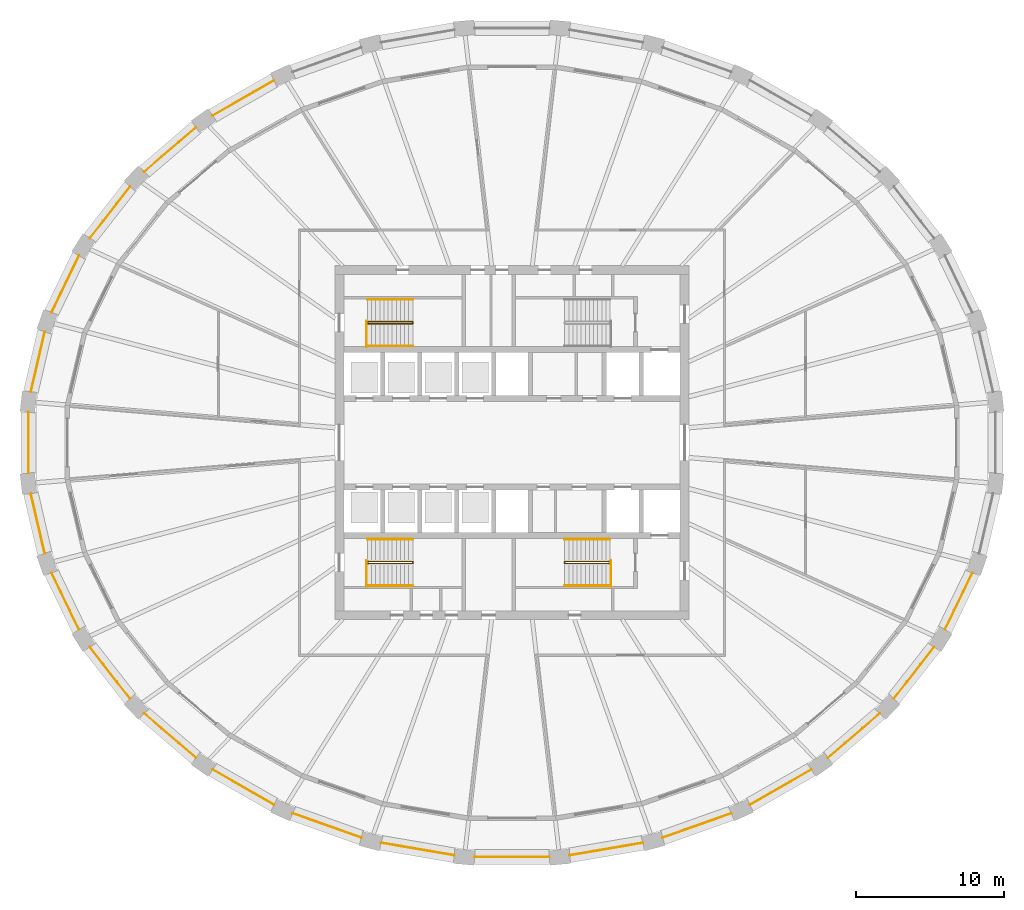
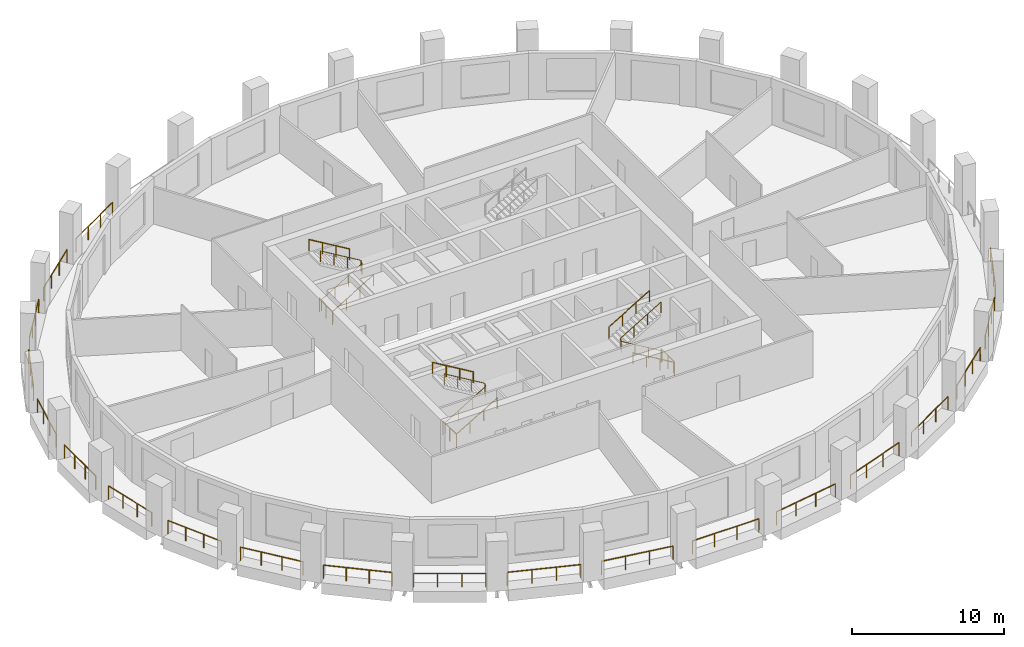
# One storey, part 8 of 10: 32 railings.
"""IFC4 building model written with IfcOpenShell, lengths in metres."""

from ifc_helpers import new_model, si_unit, direction, frame, origin, origin_2d, place, context, subcontext, project, spatial, circle, extrude, material, type_object, element, save


model = new_model("IFC4")

# Units and contexts
model_context = context("Model", 3, precision=1e-05, world=origin(), true_north=direction((0.0, 1.0)))
body_context = subcontext(model_context, "Body", "Model", "MODEL_VIEW")
ifc_project = project(units=[si_unit("LENGTHUNIT", "METRE"), si_unit("AREAUNIT", "SQUARE_METRE"), si_unit("VOLUMEUNIT", "CUBIC_METRE"), si_unit("PLANEANGLEUNIT", "RADIAN"), si_unit("MASSUNIT", "GRAM", prefix="KILO")], contexts=[model_context])

# Site, building, storey
site_placement = place(None, origin())
site = spatial("IfcSite", under=ifc_project, at=site_placement, CompositionType="ELEMENT")
building_placement = place(site_placement, origin())
building = spatial("IfcBuilding", under=site, at=building_placement, Name="Halqa Exchange Tower", CompositionType="ELEMENT")
storey_placement = place(building_placement, frame((0.0, 0.0, 178.89990234375)))
storey = spatial("IfcBuildingStorey", under=building, at=storey_placement, Name="L40", CompositionType="ELEMENT", Elevation=178.89990234375)

# Railings
ifc_material = material(Name="Stainless steel", Category="steel")
railing_type_1 = type_object("IfcRailingType", Name="Guard 1100 stainless steel", PredefinedType="GUARDRAIL", material=ifc_material)
railing_1_placement = place(storey_placement, frame((-16.126220703125, 24.5380859375, 0.0)))
element("IfcRailing", 1, at=railing_1_placement, inside=storey, type_object=railing_type_1, Name="Loggia guard 11", PredefinedType="GUARDRAIL", context=body_context, shape_type="SweptSolid", body=[
    extrude(circle(Radius=0.02392578125, at=origin_2d()), frame((0.0, 0.0, 1.076171875), z_axis=(-0.867793681236, -0.496924669148, 0.0), x_axis=(0.496924669148, -0.867793681236, 0.0)), (0.0, 0.0, 1.0), 4.783935546875),
    extrude(circle(Radius=0.02099609375, at=origin_2d()), origin(), (0.0, 0.0, 1.0), 1.052001953125),
    extrude(circle(Radius=0.02099609375, at=origin_2d()), frame((-1.3837890625, -0.79248046875, 0.0)), (0.0, 0.0, 1.0), 1.052001953125),
    extrude(circle(Radius=0.02099609375, at=origin_2d()), frame((-2.767578125, -1.584716796875, 0.0)), (0.0, 0.0, 1.0), 1.052001953125),
    extrude(circle(Radius=0.02099609375, at=origin_2d()), frame((-4.1513671875, -2.377197265625, 0.0)), (0.0, 0.0, 1.0), 1.052001953125),
])
railing_2_placement = place(storey_placement, frame((-21.41650390625, 21.357421875, 0.0)))
element("IfcRailing", 2, at=railing_2_placement, inside=storey, type_object=railing_type_1, Name="Loggia guard 12", PredefinedType="GUARDRAIL", context=body_context, shape_type="SweptSolid", body=[
    extrude(circle(Radius=0.02392578125, at=origin_2d()), frame((0.0, 0.0, 1.076171875), z_axis=(-0.759249126509, -0.650800095187, 0.0), x_axis=(0.650800095187, -0.759249126509, 0.0)), (0.0, 0.0, 1.0), 4.6103515625),
    extrude(circle(Radius=0.02099609375, at=origin_2d()), origin(), (0.0, 0.0, 1.0), 1.052001953125),
    extrude(circle(Radius=0.02099609375, at=origin_2d()), frame((-1.166748046875, -1.000244140625, 0.0)), (0.0, 0.0, 1.0), 1.052001953125),
    extrude(circle(Radius=0.02099609375, at=origin_2d()), frame((-2.333740234375, -2.000244140625, 0.0)), (0.0, 0.0, 1.0), 1.052001953125),
    extrude(circle(Radius=0.02099609375, at=origin_2d()), frame((-3.50048828125, -3.00048828125, 0.0)), (0.0, 0.0, 1.0), 1.052001953125),
])
railing_3_placement = place(storey_placement, frame((-25.87890625, 17.349365234375, 0.0)))
element("IfcRailing", 3, at=railing_3_placement, inside=storey, type_object=railing_type_1, Name="Loggia guard 13", PredefinedType="GUARDRAIL", context=body_context, shape_type="SweptSolid", body=[
    extrude(circle(Radius=0.02392578125, at=origin_2d()), frame((0.0, 0.0, 1.076171875), z_axis=(-0.614783111341, -0.788696219092, 0.0), x_axis=(0.788696219092, -0.614783111341, 0.0)), (0.0, 0.0, 1.0), 4.431884765625),
    extrude(circle(Radius=0.02099609375, at=origin_2d()), origin(), (0.0, 0.0, 1.0), 1.052001953125),
    extrude(circle(Radius=0.02099609375, at=origin_2d()), frame((-0.908203125, -1.1650390625, 0.0)), (0.0, 0.0, 1.0), 1.052001953125),
    extrude(circle(Radius=0.02099609375, at=origin_2d()), frame((-1.81640625, -2.330322265625, 0.0)), (0.0, 0.0, 1.0), 1.052001953125),
    extrude(circle(Radius=0.02099609375, at=origin_2d()), frame((-2.724609375, -3.495361328125, 0.0)), (0.0, 0.0, 1.0), 1.052001953125),
])
railing_4_placement = place(storey_placement, frame((-29.33837890625, 12.671630859375, 0.0)))
element("IfcRailing", 4, at=railing_4_placement, inside=storey, type_object=railing_type_1, Name="Loggia guard 14", PredefinedType="GUARDRAIL", context=body_context, shape_type="SweptSolid", body=[
    extrude(circle(Radius=0.02392578125, at=origin_2d()), frame((0.0, 0.0, 1.076171875), z_axis=(-0.435114663921, -0.900375049211, 0.0), x_axis=(0.900375049211, -0.435114663921, 0.0)), (0.0, 0.0, 1.0), 4.276123046875),
    extrude(circle(Radius=0.02099609375, at=origin_2d()), origin(), (0.0, 0.0, 1.0), 1.052001953125),
    extrude(circle(Radius=0.02099609375, at=origin_2d()), frame((-0.6201171875, -1.283447265625, 0.0)), (0.0, 0.0, 1.0), 1.052001953125),
    extrude(circle(Radius=0.02099609375, at=origin_2d()), frame((-1.240478515625, -2.566650390625, 0.0)), (0.0, 0.0, 1.0), 1.052001953125),
    extrude(circle(Radius=0.02099609375, at=origin_2d()), frame((-1.860595703125, -3.85009765625, 0.0)), (0.0, 0.0, 1.0), 1.052001953125),
])
railing_5_placement = place(storey_placement, frame((-31.66162109375, 7.509521484375, 0.0)))
element("IfcRailing", 5, at=railing_5_placement, inside=storey, type_object=railing_type_1, Name="Loggia guard 15", PredefinedType="GUARDRAIL", context=body_context, shape_type="SweptSolid", body=[
    extrude(circle(Radius=0.02392578125, at=origin_2d()), frame((0.0, 0.0, 1.076171875), z_axis=(-0.22612077851, -0.974099272932, 0.0), x_axis=(0.974099272932, -0.22612077851, 0.0)), (0.0, 0.0, 1.0), 4.169677734375),
    extrude(circle(Radius=0.02099609375, at=origin_2d()), origin(), (0.0, 0.0, 1.0), 1.052001953125),
    extrude(circle(Radius=0.02099609375, at=origin_2d()), frame((-0.314208984375, -1.35400390625, 0.0)), (0.0, 0.0, 1.0), 1.052001953125),
    extrude(circle(Radius=0.02099609375, at=origin_2d()), frame((-0.628662109375, -2.707763671875, 0.0)), (0.0, 0.0, 1.0), 1.052001953125),
    extrude(circle(Radius=0.02099609375, at=origin_2d()), frame((-0.94287109375, -4.061767578125, 0.0)), (0.0, 0.0, 1.0), 1.052001953125),
])
railing_6_placement = place(storey_placement, frame((-32.7626953125, 2.06591796875, 0.0)))
element("IfcRailing", 6, at=railing_6_placement, inside=storey, type_object=railing_type_1, Name="Loggia guard 16", PredefinedType="GUARDRAIL", context=body_context, shape_type="SweptSolid", body=[
    extrude(circle(Radius=0.02392578125, at=origin_2d()), frame((0.0, 0.0, 1.076171875), z_axis=(0.0, -1.0, 0.0), x_axis=(1.0, 0.0, 0.0)), (0.0, 0.0, 1.0), 4.1318359375),
    extrude(circle(Radius=0.02099609375, at=origin_2d()), origin(), (0.0, 0.0, 1.0), 1.052001953125),
    extrude(circle(Radius=0.02099609375, at=origin_2d()), frame((0.0, -1.377197265625, 0.0)), (0.0, 0.0, 1.0), 1.052001953125),
    extrude(circle(Radius=0.02099609375, at=origin_2d()), frame((0.0, -2.754638671875, 0.0)), (0.0, 0.0, 1.0), 1.052001953125),
    extrude(circle(Radius=0.02099609375, at=origin_2d()), frame((0.0, -4.1318359375, 0.0)), (0.0, 0.0, 1.0), 1.052001953125),
])
railing_7_placement = place(storey_placement, frame((-32.6044921875, -3.44775390625, 0.0)))
element("IfcRailing", 7, at=railing_7_placement, inside=storey, type_object=railing_type_1, Name="Loggia guard 17", PredefinedType="GUARDRAIL", context=body_context, shape_type="SweptSolid", body=[
    extrude(circle(Radius=0.02392578125, at=origin_2d()), frame((0.0, 0.0, 1.076171875), z_axis=(0.22612077851, -0.974099272932, 0.0), x_axis=(0.974099272932, 0.22612077851, 0.0)), (0.0, 0.0, 1.0), 4.169677734375),
    extrude(circle(Radius=0.02099609375, at=origin_2d()), origin(), (0.0, 0.0, 1.0), 1.052001953125),
    extrude(circle(Radius=0.02099609375, at=origin_2d()), frame((0.314208984375, -1.35400390625, 0.0)), (0.0, 0.0, 1.0), 1.052001953125),
    extrude(circle(Radius=0.02099609375, at=origin_2d()), frame((0.628662109375, -2.707763671875, 0.0)), (0.0, 0.0, 1.0), 1.052001953125),
    extrude(circle(Radius=0.02099609375, at=origin_2d()), frame((0.94287109375, -4.061767578125, 0.0)), (0.0, 0.0, 1.0), 1.052001953125),
])
railing_8_placement = place(storey_placement, frame((-31.198974609375, -8.821533203125, 0.0)))
element("IfcRailing", 8, at=railing_8_placement, inside=storey, type_object=railing_type_1, Name="Loggia guard 18", PredefinedType="GUARDRAIL", context=body_context, shape_type="SweptSolid", body=[
    extrude(circle(Radius=0.02392578125, at=origin_2d()), frame((0.0, 0.0, 1.076171875), z_axis=(0.435114663921, -0.900375049211, 0.0), x_axis=(0.900375049211, 0.435114663921, 0.0)), (0.0, 0.0, 1.0), 4.276123046875),
    extrude(circle(Radius=0.02099609375, at=origin_2d()), origin(), (0.0, 0.0, 1.0), 1.052001953125),
    extrude(circle(Radius=0.02099609375, at=origin_2d()), frame((0.6201171875, -1.283447265625, 0.0)), (0.0, 0.0, 1.0), 1.052001953125),
    extrude(circle(Radius=0.02099609375, at=origin_2d()), frame((1.240478515625, -2.566650390625, 0.0)), (0.0, 0.0, 1.0), 1.052001953125),
    extrude(circle(Radius=0.02099609375, at=origin_2d()), frame((1.860595703125, -3.85009765625, 0.0)), (0.0, 0.0, 1.0), 1.052001953125),
])
railing_9_placement = place(storey_placement, frame((-28.603515625, -13.85400390625, 0.0)))
element("IfcRailing", 9, at=railing_9_placement, inside=storey, type_object=railing_type_1, Name="Loggia guard 19", PredefinedType="GUARDRAIL", context=body_context, shape_type="SweptSolid", body=[
    extrude(circle(Radius=0.02392578125, at=origin_2d()), frame((0.0, 0.0, 1.076171875), z_axis=(0.614783111341, -0.788696219092, 0.0), x_axis=(0.788696219092, 0.614783111341, 0.0)), (0.0, 0.0, 1.0), 4.431884765625),
    extrude(circle(Radius=0.02099609375, at=origin_2d()), origin(), (0.0, 0.0, 1.0), 1.052001953125),
    extrude(circle(Radius=0.02099609375, at=origin_2d()), frame((0.908203125, -1.1650390625, 0.0)), (0.0, 0.0, 1.0), 1.052001953125),
    extrude(circle(Radius=0.02099609375, at=origin_2d()), frame((1.81640625, -2.330322265625, 0.0)), (0.0, 0.0, 1.0), 1.052001953125),
    extrude(circle(Radius=0.02099609375, at=origin_2d()), frame((2.724609375, -3.495361328125, 0.0)), (0.0, 0.0, 1.0), 1.052001953125),
])
railing_10_placement = place(storey_placement, frame((-24.9169921875, -18.35693359375, 0.0)))
element("IfcRailing", 10, at=railing_10_placement, inside=storey, type_object=railing_type_1, Name="Loggia guard 20", PredefinedType="GUARDRAIL", context=body_context, shape_type="SweptSolid", body=[
    extrude(circle(Radius=0.02392578125, at=origin_2d()), frame((0.0, 0.0, 1.076171875), z_axis=(0.759249126509, -0.650800095187, 0.0), x_axis=(0.650800095187, 0.759249126509, 0.0)), (0.0, 0.0, 1.0), 4.6103515625),
    extrude(circle(Radius=0.02099609375, at=origin_2d()), origin(), (0.0, 0.0, 1.0), 1.052001953125),
    extrude(circle(Radius=0.02099609375, at=origin_2d()), frame((1.166748046875, -1.000244140625, 0.0)), (0.0, 0.0, 1.0), 1.052001953125),
    extrude(circle(Radius=0.02099609375, at=origin_2d()), frame((2.333740234375, -2.000244140625, 0.0)), (0.0, 0.0, 1.0), 1.052001953125),
    extrude(circle(Radius=0.02099609375, at=origin_2d()), frame((3.50048828125, -3.00048828125, 0.0)), (0.0, 0.0, 1.0), 1.052001953125),
])
railing_11_placement = place(storey_placement, frame((-20.277587890625, -22.160888671875, 0.0)))
element("IfcRailing", 11, at=railing_11_placement, inside=storey, type_object=railing_type_1, Name="Loggia guard 21", PredefinedType="GUARDRAIL", context=body_context, shape_type="SweptSolid", body=[
    extrude(circle(Radius=0.02392578125, at=origin_2d()), frame((0.0, 0.0, 1.076171875), z_axis=(0.867793681236, -0.496924669148, 0.0), x_axis=(0.496924669148, 0.867793681236, 0.0)), (0.0, 0.0, 1.0), 4.783935546875),
    extrude(circle(Radius=0.02099609375, at=origin_2d()), origin(), (0.0, 0.0, 1.0), 1.052001953125),
    extrude(circle(Radius=0.02099609375, at=origin_2d()), frame((1.3837890625, -0.79248046875, 0.0)), (0.0, 0.0, 1.0), 1.052001953125),
    extrude(circle(Radius=0.02099609375, at=origin_2d()), frame((2.767578125, -1.584716796875, 0.0)), (0.0, 0.0, 1.0), 1.052001953125),
    extrude(circle(Radius=0.02099609375, at=origin_2d()), frame((4.1513671875, -2.377197265625, 0.0)), (0.0, 0.0, 1.0), 1.052001953125),
])
railing_12_placement = place(storey_placement, frame((-14.859130859375, -25.120361328125, 0.0)))
element("IfcRailing", 12, at=railing_12_placement, inside=storey, type_object=railing_type_1, Name="Loggia guard 22", PredefinedType="GUARDRAIL", context=body_context, shape_type="SweptSolid", body=[
    extrude(circle(Radius=0.02392578125, at=origin_2d()), frame((0.0, 0.0, 1.076171875), z_axis=(0.94236475605, -0.334587307822, 0.0), x_axis=(0.334587307822, 0.94236475605, 0.0)), (0.0, 0.0, 1.0), 4.9267578125),
    extrude(circle(Radius=0.02099609375, at=origin_2d()), origin(), (0.0, 0.0, 1.0), 1.052001953125),
    extrude(circle(Radius=0.02099609375, at=origin_2d()), frame((1.547607421875, -0.549560546875, 0.0)), (0.0, 0.0, 1.0), 1.052001953125),
    extrude(circle(Radius=0.02099609375, at=origin_2d()), frame((3.09521484375, -1.098876953125, 0.0)), (0.0, 0.0, 1.0), 1.052001953125),
    extrude(circle(Radius=0.02099609375, at=origin_2d()), frame((4.642822265625, -1.6484375, 0.0)), (0.0, 0.0, 1.0), 1.052001953125),
])
railing_13_placement = place(storey_placement, frame((-8.866455078125, -27.12060546875, 0.0)))
element("IfcRailing", 13, at=railing_13_placement, inside=storey, type_object=railing_type_1, Name="Loggia guard 23", PredefinedType="GUARDRAIL", context=body_context, shape_type="SweptSolid", body=[
    extrude(circle(Radius=0.02392578125, at=origin_2d()), frame((0.0, 0.0, 1.076171875), z_axis=(0.985772013082, -0.16808788839, 0.0), x_axis=(0.16808788839, 0.985772013082, 0.0)), (0.0, 0.0, 1.0), 5.021240234375),
    extrude(circle(Radius=0.02099609375, at=origin_2d()), origin(), (0.0, 0.0, 1.0), 1.052001953125),
    extrude(circle(Radius=0.02099609375, at=origin_2d()), frame((1.64990234375, -0.28125, 0.0)), (0.0, 0.0, 1.0), 1.052001953125),
    extrude(circle(Radius=0.02099609375, at=origin_2d()), frame((3.2998046875, -0.562744140625, 0.0)), (0.0, 0.0, 1.0), 1.052001953125),
    extrude(circle(Radius=0.02099609375, at=origin_2d()), frame((4.94970703125, -0.843994140625, 0.0)), (0.0, 0.0, 1.0), 1.052001953125),
])
railing_14_placement = place(storey_placement, frame((-2.52685546875, -28.082275390625, 0.0)))
element("IfcRailing", 14, at=railing_14_placement, inside=storey, type_object=railing_type_1, Name="Loggia guard 24", PredefinedType="GUARDRAIL", context=body_context, shape_type="SweptSolid", body=[
    extrude(circle(Radius=0.02392578125, at=origin_2d()), frame((0.0, 0.0, 1.076171875), z_axis=(1.0, 0.0, 0.0), x_axis=(0.0, 1.0, 0.0)), (0.0, 0.0, 1.0), 5.0537109375),
    extrude(circle(Radius=0.02099609375, at=origin_2d()), origin(), (0.0, 0.0, 1.0), 1.052001953125),
    extrude(circle(Radius=0.02099609375, at=origin_2d()), frame((1.6845703125, 0.0, 0.0)), (0.0, 0.0, 1.0), 1.052001953125),
    extrude(circle(Radius=0.02099609375, at=origin_2d()), frame((3.369140625, 0.0, 0.0)), (0.0, 0.0, 1.0), 1.052001953125),
    extrude(circle(Radius=0.02099609375, at=origin_2d()), frame((5.0537109375, 0.0, 0.0)), (0.0, 0.0, 1.0), 1.052001953125),
])
railing_15_placement = place(storey_placement, frame((3.916748046875, -27.964599609375, 0.0)))
element("IfcRailing", 15, at=railing_15_placement, inside=storey, type_object=railing_type_1, Name="Loggia guard 25", PredefinedType="GUARDRAIL", context=body_context, shape_type="SweptSolid", body=[
    extrude(circle(Radius=0.02392578125, at=origin_2d()), frame((0.0, 0.0, 1.076171875), z_axis=(0.985772013082, 0.16808788839, 0.0), x_axis=(-0.16808788839, 0.985772013082, 0.0)), (0.0, 0.0, 1.0), 5.021240234375),
    extrude(circle(Radius=0.02099609375, at=origin_2d()), origin(), (0.0, 0.0, 1.0), 1.052001953125),
    extrude(circle(Radius=0.02099609375, at=origin_2d()), frame((1.64990234375, 0.28125, 0.0)), (0.0, 0.0, 1.0), 1.052001953125),
    extrude(circle(Radius=0.02099609375, at=origin_2d()), frame((3.2998046875, 0.562744140625, 0.0)), (0.0, 0.0, 1.0), 1.052001953125),
    extrude(circle(Radius=0.02099609375, at=origin_2d()), frame((4.94970703125, 0.843994140625, 0.0)), (0.0, 0.0, 1.0), 1.052001953125),
])
railing_16_placement = place(storey_placement, frame((10.21630859375, -26.768798828125, 0.0)))
element("IfcRailing", 16, at=railing_16_placement, inside=storey, type_object=railing_type_1, Name="Loggia guard 26", PredefinedType="GUARDRAIL", context=body_context, shape_type="SweptSolid", body=[
    extrude(circle(Radius=0.02392578125, at=origin_2d()), frame((0.0, 0.0, 1.076171875), z_axis=(0.94236475605, 0.334587307822, 0.0), x_axis=(-0.334587307822, 0.94236475605, 0.0)), (0.0, 0.0, 1.0), 4.9267578125),
    extrude(circle(Radius=0.02099609375, at=origin_2d()), origin(), (0.0, 0.0, 1.0), 1.052001953125),
    extrude(circle(Radius=0.02099609375, at=origin_2d()), frame((1.547607421875, 0.549560546875, 0.0)), (0.0, 0.0, 1.0), 1.052001953125),
    extrude(circle(Radius=0.02099609375, at=origin_2d()), frame((3.09521484375, 1.098876953125, 0.0)), (0.0, 0.0, 1.0), 1.052001953125),
    extrude(circle(Radius=0.02099609375, at=origin_2d()), frame((4.642822265625, 1.6484375, 0.0)), (0.0, 0.0, 1.0), 1.052001953125),
])
railing_17_placement = place(storey_placement, frame((16.126220703125, -24.5380859375, 0.0)))
element("IfcRailing", 17, at=railing_17_placement, inside=storey, type_object=railing_type_1, Name="Loggia guard 27", PredefinedType="GUARDRAIL", context=body_context, shape_type="SweptSolid", body=[
    extrude(circle(Radius=0.02392578125, at=origin_2d()), frame((0.0, 0.0, 1.076171875), z_axis=(0.867793681236, 0.496924669148, 0.0), x_axis=(-0.496924669148, 0.867793681236, 0.0)), (0.0, 0.0, 1.0), 4.783935546875),
    extrude(circle(Radius=0.02099609375, at=origin_2d()), origin(), (0.0, 0.0, 1.0), 1.052001953125),
    extrude(circle(Radius=0.02099609375, at=origin_2d()), frame((1.3837890625, 0.79248046875, 0.0)), (0.0, 0.0, 1.0), 1.052001953125),
    extrude(circle(Radius=0.02099609375, at=origin_2d()), frame((2.767578125, 1.584716796875, 0.0)), (0.0, 0.0, 1.0), 1.052001953125),
    extrude(circle(Radius=0.02099609375, at=origin_2d()), frame((4.1513671875, 2.377197265625, 0.0)), (0.0, 0.0, 1.0), 1.052001953125),
])
railing_18_placement = place(storey_placement, frame((21.41650390625, -21.357421875, 0.0)))
element("IfcRailing", 18, at=railing_18_placement, inside=storey, type_object=railing_type_1, Name="Loggia guard 28", PredefinedType="GUARDRAIL", context=body_context, shape_type="SweptSolid", body=[
    extrude(circle(Radius=0.02392578125, at=origin_2d()), frame((0.0, 0.0, 1.076171875), z_axis=(0.759249126509, 0.650800095187, 0.0), x_axis=(-0.650800095187, 0.759249126509, 0.0)), (0.0, 0.0, 1.0), 4.6103515625),
    extrude(circle(Radius=0.02099609375, at=origin_2d()), origin(), (0.0, 0.0, 1.0), 1.052001953125),
    extrude(circle(Radius=0.02099609375, at=origin_2d()), frame((1.166748046875, 1.000244140625, 0.0)), (0.0, 0.0, 1.0), 1.052001953125),
    extrude(circle(Radius=0.02099609375, at=origin_2d()), frame((2.333740234375, 2.000244140625, 0.0)), (0.0, 0.0, 1.0), 1.052001953125),
    extrude(circle(Radius=0.02099609375, at=origin_2d()), frame((3.50048828125, 3.00048828125, 0.0)), (0.0, 0.0, 1.0), 1.052001953125),
])
railing_19_placement = place(storey_placement, frame((25.87890625, -17.349365234375, 0.0)))
element("IfcRailing", 19, at=railing_19_placement, inside=storey, type_object=railing_type_1, Name="Loggia guard 29", PredefinedType="GUARDRAIL", context=body_context, shape_type="SweptSolid", body=[
    extrude(circle(Radius=0.02392578125, at=origin_2d()), frame((0.0, 0.0, 1.076171875), z_axis=(0.614783111341, 0.788696219092, 0.0), x_axis=(-0.788696219092, 0.614783111341, 0.0)), (0.0, 0.0, 1.0), 4.431884765625),
    extrude(circle(Radius=0.02099609375, at=origin_2d()), origin(), (0.0, 0.0, 1.0), 1.052001953125),
    extrude(circle(Radius=0.02099609375, at=origin_2d()), frame((0.908203125, 1.1650390625, 0.0)), (0.0, 0.0, 1.0), 1.052001953125),
    extrude(circle(Radius=0.02099609375, at=origin_2d()), frame((1.81640625, 2.330322265625, 0.0)), (0.0, 0.0, 1.0), 1.052001953125),
    extrude(circle(Radius=0.02099609375, at=origin_2d()), frame((2.724609375, 3.495361328125, 0.0)), (0.0, 0.0, 1.0), 1.052001953125),
])
railing_20_placement = place(storey_placement, frame((29.33837890625, -12.671630859375, 0.0)))
element("IfcRailing", 20, at=railing_20_placement, inside=storey, type_object=railing_type_1, Name="Loggia guard 30", PredefinedType="GUARDRAIL", context=body_context, shape_type="SweptSolid", body=[
    extrude(circle(Radius=0.02392578125, at=origin_2d()), frame((0.0, 0.0, 1.076171875), z_axis=(0.435114663921, 0.900375049211, 0.0), x_axis=(-0.900375049211, 0.435114663921, 0.0)), (0.0, 0.0, 1.0), 4.276123046875),
    extrude(circle(Radius=0.02099609375, at=origin_2d()), origin(), (0.0, 0.0, 1.0), 1.052001953125),
    extrude(circle(Radius=0.02099609375, at=origin_2d()), frame((0.6201171875, 1.283447265625, 0.0)), (0.0, 0.0, 1.0), 1.052001953125),
    extrude(circle(Radius=0.02099609375, at=origin_2d()), frame((1.240478515625, 2.566650390625, 0.0)), (0.0, 0.0, 1.0), 1.052001953125),
    extrude(circle(Radius=0.02099609375, at=origin_2d()), frame((1.860595703125, 3.85009765625, 0.0)), (0.0, 0.0, 1.0), 1.052001953125),
])
railing_type_2 = type_object("IfcRailingType", Name="Stair handrail 900", PredefinedType="HANDRAIL", material=ifc_material)
railing_21_placement = place(storey_placement, frame((-9.800048828125, 8.06005859375, 0.166748046875)))
element("IfcRailing", 21, at=railing_21_placement, inside=storey, type_object=railing_type_2, Name="Handrail ST1.1", PredefinedType="HANDRAIL", context=body_context, shape_type="SweptSolid", body=[
    extrude(circle(Radius=0.02392578125, at=origin_2d()), frame((0.0, 0.0, 0.8759765625), z_axis=(0.859308565015, 0.0, 0.511457515432), x_axis=(0.0, 1.0, 0.0)), (0.0, 0.0, 1.0), 3.58447265625),
    extrude(circle(Radius=0.02392578125, at=origin_2d()), frame((3.080078125, 0.0, 2.708984375), z_axis=(0.0, 0.614500226555, 0.788916644243), x_axis=(-1.0, 0.0, 0.0)), (0.0, 0.0, 1.0), 0.21142578125),
    extrude(circle(Radius=0.02392578125, at=origin_2d()), frame((3.080078125, 0.1298828125, 2.8759765625), z_axis=(-0.859308565015, 0.0, 0.511457515432), x_axis=(0.0, -1.0, 0.0)), (0.0, 0.0, 1.0), 3.58447265625),
    extrude(circle(Radius=0.02099609375, at=origin_2d()), origin(), (0.0, 0.0, 1.0), 0.851806640625),
    extrude(circle(Radius=0.02099609375, at=origin_2d()), frame((1.026611328125, 0.0, 0.611083984375)), (0.0, 0.0, 1.0), 0.851806640625),
    extrude(circle(Radius=0.02099609375, at=origin_2d()), frame((2.053466796875, 0.0, 1.22216796875)), (0.0, 0.0, 1.0), 0.851806640625),
    extrude(circle(Radius=0.02099609375, at=origin_2d()), frame((3.080078125, 0.0, 1.833251953125)), (0.0, 0.0, 1.0), 0.851806640625),
    extrude(circle(Radius=0.02099609375, at=origin_2d()), frame((3.080078125, 0.1298828125, 2.0)), (0.0, 0.0, 1.0), 0.851806640625),
    extrude(circle(Radius=0.02099609375, at=origin_2d()), frame((2.053466796875, 0.1298828125, 2.611083984375)), (0.0, 0.0, 1.0), 0.851806640625),
    extrude(circle(Radius=0.02099609375, at=origin_2d()), frame((1.026611328125, 0.1298828125, 3.22216796875)), (0.0, 0.0, 1.0), 0.851806640625),
    extrude(circle(Radius=0.02099609375, at=origin_2d()), frame((0.0, 0.1298828125, 3.833251953125)), (0.0, 0.0, 1.0), 0.851806640625),
])
railing_22_placement = place(storey_placement, frame((-9.800048828125, 6.550048828125, 0.166748046875)))
element("IfcRailing", 22, at=railing_22_placement, inside=storey, type_object=railing_type_2, Name="Handrail ST1.2", PredefinedType="HANDRAIL", context=body_context, shape_type="SweptSolid", body=[
    extrude(circle(Radius=0.02392578125, at=origin_2d()), frame((0.0, 0.0, 0.8759765625), z_axis=(0.859308565015, 0.0, 0.511457515432), x_axis=(0.0, 1.0, 0.0)), (0.0, 0.0, 1.0), 3.58447265625),
    extrude(circle(Radius=0.02099609375, at=origin_2d()), origin(), (0.0, 0.0, 1.0), 0.851806640625),
    extrude(circle(Radius=0.02099609375, at=origin_2d()), frame((1.026611328125, 0.0, 0.611083984375)), (0.0, 0.0, 1.0), 0.851806640625),
    extrude(circle(Radius=0.02099609375, at=origin_2d()), frame((2.053466796875, 0.0, 1.22216796875)), (0.0, 0.0, 1.0), 0.851806640625),
    extrude(circle(Radius=0.02099609375, at=origin_2d()), frame((3.080078125, 0.0, 1.833251953125)), (0.0, 0.0, 1.0), 0.851806640625),
])
railing_23_placement = place(storey_placement, frame((-6.719970703125, 9.699951171875, 2.166748046875)))
element("IfcRailing", 23, at=railing_23_placement, inside=storey, type_object=railing_type_2, Name="Handrail ST1.3", PredefinedType="HANDRAIL", context=body_context, shape_type="SweptSolid", body=[
    extrude(circle(Radius=0.02392578125, at=origin_2d()), frame((0.0, 0.0, 0.8759765625), z_axis=(-0.859308565015, 0.0, 0.511457515432), x_axis=(0.0, -1.0, 0.0)), (0.0, 0.0, 1.0), 3.58447265625),
    extrude(circle(Radius=0.02099609375, at=origin_2d()), origin(), (0.0, 0.0, 1.0), 0.851806640625),
    extrude(circle(Radius=0.02099609375, at=origin_2d()), frame((-1.026611328125, 0.0, 0.611083984375)), (0.0, 0.0, 1.0), 0.851806640625),
    extrude(circle(Radius=0.02099609375, at=origin_2d()), frame((-2.053466796875, 0.0, 1.22216796875)), (0.0, 0.0, 1.0), 0.851806640625),
    extrude(circle(Radius=0.02099609375, at=origin_2d()), frame((-3.080078125, 0.0, 1.833251953125)), (0.0, 0.0, 1.0), 0.851806640625),
])
railing_24_placement = place(storey_placement, frame((-9.800048828125, -8.18994140625, 0.166748046875)))
element("IfcRailing", 24, at=railing_24_placement, inside=storey, type_object=railing_type_2, Name="Handrail ST3.1", PredefinedType="HANDRAIL", context=body_context, shape_type="SweptSolid", body=[
    extrude(circle(Radius=0.02392578125, at=origin_2d()), frame((0.0, 0.0, 0.8759765625), z_axis=(0.859308565015, 0.0, 0.511457515432), x_axis=(0.0, 1.0, 0.0)), (0.0, 0.0, 1.0), 3.58447265625),
    extrude(circle(Radius=0.02392578125, at=origin_2d()), frame((3.080078125, 0.0, 2.708984375), z_axis=(0.0, 0.614500226555, 0.788916644243), x_axis=(-1.0, 0.0, 0.0)), (0.0, 0.0, 1.0), 0.21142578125),
    extrude(circle(Radius=0.02392578125, at=origin_2d()), frame((3.080078125, 0.1298828125, 2.8759765625), z_axis=(-0.859308565015, 0.0, 0.511457515432), x_axis=(0.0, -1.0, 0.0)), (0.0, 0.0, 1.0), 3.58447265625),
    extrude(circle(Radius=0.02099609375, at=origin_2d()), origin(), (0.0, 0.0, 1.0), 0.851806640625),
    extrude(circle(Radius=0.02099609375, at=origin_2d()), frame((1.026611328125, 0.0, 0.611083984375)), (0.0, 0.0, 1.0), 0.851806640625),
    extrude(circle(Radius=0.02099609375, at=origin_2d()), frame((2.053466796875, 0.0, 1.22216796875)), (0.0, 0.0, 1.0), 0.851806640625),
    extrude(circle(Radius=0.02099609375, at=origin_2d()), frame((3.080078125, 0.0, 1.833251953125)), (0.0, 0.0, 1.0), 0.851806640625),
    extrude(circle(Radius=0.02099609375, at=origin_2d()), frame((3.080078125, 0.1298828125, 2.0)), (0.0, 0.0, 1.0), 0.851806640625),
    extrude(circle(Radius=0.02099609375, at=origin_2d()), frame((2.053466796875, 0.1298828125, 2.611083984375)), (0.0, 0.0, 1.0), 0.851806640625),
    extrude(circle(Radius=0.02099609375, at=origin_2d()), frame((1.026611328125, 0.1298828125, 3.22216796875)), (0.0, 0.0, 1.0), 0.851806640625),
    extrude(circle(Radius=0.02099609375, at=origin_2d()), frame((0.0, 0.1298828125, 3.833251953125)), (0.0, 0.0, 1.0), 0.851806640625),
])
railing_25_placement = place(storey_placement, frame((-9.800048828125, -9.699951171875, 0.166748046875)))
element("IfcRailing", 25, at=railing_25_placement, inside=storey, type_object=railing_type_2, Name="Handrail ST3.2", PredefinedType="HANDRAIL", context=body_context, shape_type="SweptSolid", body=[
    extrude(circle(Radius=0.02392578125, at=origin_2d()), frame((0.0, 0.0, 0.8759765625), z_axis=(0.859308565015, 0.0, 0.511457515432), x_axis=(0.0, 1.0, 0.0)), (0.0, 0.0, 1.0), 3.58447265625),
    extrude(circle(Radius=0.02099609375, at=origin_2d()), origin(), (0.0, 0.0, 1.0), 0.851806640625),
    extrude(circle(Radius=0.02099609375, at=origin_2d()), frame((1.026611328125, 0.0, 0.611083984375)), (0.0, 0.0, 1.0), 0.851806640625),
    extrude(circle(Radius=0.02099609375, at=origin_2d()), frame((2.053466796875, 0.0, 1.22216796875)), (0.0, 0.0, 1.0), 0.851806640625),
    extrude(circle(Radius=0.02099609375, at=origin_2d()), frame((3.080078125, 0.0, 1.833251953125)), (0.0, 0.0, 1.0), 0.851806640625),
])
railing_26_placement = place(storey_placement, frame((-6.719970703125, -6.550048828125, 2.166748046875)))
element("IfcRailing", 26, at=railing_26_placement, inside=storey, type_object=railing_type_2, Name="Handrail ST3.3", PredefinedType="HANDRAIL", context=body_context, shape_type="SweptSolid", body=[
    extrude(circle(Radius=0.02392578125, at=origin_2d()), frame((0.0, 0.0, 0.8759765625), z_axis=(-0.859308565015, 0.0, 0.511457515432), x_axis=(0.0, -1.0, 0.0)), (0.0, 0.0, 1.0), 3.58447265625),
    extrude(circle(Radius=0.02099609375, at=origin_2d()), origin(), (0.0, 0.0, 1.0), 0.851806640625),
    extrude(circle(Radius=0.02099609375, at=origin_2d()), frame((-1.026611328125, 0.0, 0.611083984375)), (0.0, 0.0, 1.0), 0.851806640625),
    extrude(circle(Radius=0.02099609375, at=origin_2d()), frame((-2.053466796875, 0.0, 1.22216796875)), (0.0, 0.0, 1.0), 0.851806640625),
    extrude(circle(Radius=0.02099609375, at=origin_2d()), frame((-3.080078125, 0.0, 1.833251953125)), (0.0, 0.0, 1.0), 0.851806640625),
])
railing_27_placement = place(storey_placement, frame((6.64990234375, -8.18994140625, 0.166748046875)))
element("IfcRailing", 27, at=railing_27_placement, inside=storey, type_object=railing_type_2, Name="Handrail ST4.1", PredefinedType="HANDRAIL", context=body_context, shape_type="SweptSolid", body=[
    extrude(circle(Radius=0.02392578125, at=origin_2d()), frame((0.0, 0.0, 0.8759765625), z_axis=(-0.859290745958, 0.0, 0.51148745235), x_axis=(0.0, -1.0, 0.0)), (0.0, 0.0, 1.0), 3.584228515625),
    extrude(circle(Radius=0.02392578125, at=origin_2d()), frame((-3.079833984375, 0.0, 2.708984375), z_axis=(0.0, 0.614500226555, 0.788916644243), x_axis=(-1.0, 0.0, 0.0)), (0.0, 0.0, 1.0), 0.21142578125),
    extrude(circle(Radius=0.02392578125, at=origin_2d()), frame((-3.079833984375, 0.1298828125, 2.8759765625), z_axis=(0.859290745958, 0.0, 0.51148745235), x_axis=(0.0, 1.0, 0.0)), (0.0, 0.0, 1.0), 3.584228515625),
    extrude(circle(Radius=0.02099609375, at=origin_2d()), origin(), (0.0, 0.0, 1.0), 0.851806640625),
    extrude(circle(Radius=0.02099609375, at=origin_2d()), frame((-1.026611328125, 0.0, 0.611083984375)), (0.0, 0.0, 1.0), 0.851806640625),
    extrude(circle(Radius=0.02099609375, at=origin_2d()), frame((-2.05322265625, 0.0, 1.22216796875)), (0.0, 0.0, 1.0), 0.851806640625),
    extrude(circle(Radius=0.02099609375, at=origin_2d()), frame((-3.079833984375, 0.0, 1.833251953125)), (0.0, 0.0, 1.0), 0.851806640625),
    extrude(circle(Radius=0.02099609375, at=origin_2d()), frame((-3.079833984375, 0.1298828125, 2.0)), (0.0, 0.0, 1.0), 0.851806640625),
    extrude(circle(Radius=0.02099609375, at=origin_2d()), frame((-2.05322265625, 0.1298828125, 2.611083984375)), (0.0, 0.0, 1.0), 0.851806640625),
    extrude(circle(Radius=0.02099609375, at=origin_2d()), frame((-1.026611328125, 0.1298828125, 3.22216796875)), (0.0, 0.0, 1.0), 0.851806640625),
    extrude(circle(Radius=0.02099609375, at=origin_2d()), frame((0.0, 0.1298828125, 3.833251953125)), (0.0, 0.0, 1.0), 0.851806640625),
])
railing_28_placement = place(storey_placement, frame((6.64990234375, -9.699951171875, 0.166748046875)))
element("IfcRailing", 28, at=railing_28_placement, inside=storey, type_object=railing_type_2, Name="Handrail ST4.2", PredefinedType="HANDRAIL", context=body_context, shape_type="SweptSolid", body=[
    extrude(circle(Radius=0.02392578125, at=origin_2d()), frame((0.0, 0.0, 0.8759765625), z_axis=(-0.859290745958, 0.0, 0.51148745235), x_axis=(0.0, -1.0, 0.0)), (0.0, 0.0, 1.0), 3.584228515625),
    extrude(circle(Radius=0.02099609375, at=origin_2d()), origin(), (0.0, 0.0, 1.0), 0.851806640625),
    extrude(circle(Radius=0.02099609375, at=origin_2d()), frame((-1.026611328125, 0.0, 0.611083984375)), (0.0, 0.0, 1.0), 0.851806640625),
    extrude(circle(Radius=0.02099609375, at=origin_2d()), frame((-2.05322265625, 0.0, 1.22216796875)), (0.0, 0.0, 1.0), 0.851806640625),
    extrude(circle(Radius=0.02099609375, at=origin_2d()), frame((-3.079833984375, 0.0, 1.833251953125)), (0.0, 0.0, 1.0), 0.851806640625),
])
railing_29_placement = place(storey_placement, frame((3.570068359375, -6.550048828125, 2.166748046875)))
element("IfcRailing", 29, at=railing_29_placement, inside=storey, type_object=railing_type_2, Name="Handrail ST4.3", PredefinedType="HANDRAIL", context=body_context, shape_type="SweptSolid", body=[
    extrude(circle(Radius=0.02392578125, at=origin_2d()), frame((0.0, 0.0, 0.8759765625), z_axis=(0.859290745958, 0.0, 0.51148745235), x_axis=(0.0, 1.0, 0.0)), (0.0, 0.0, 1.0), 3.584228515625),
    extrude(circle(Radius=0.02099609375, at=origin_2d()), origin(), (0.0, 0.0, 1.0), 0.851806640625),
    extrude(circle(Radius=0.02099609375, at=origin_2d()), frame((1.026611328125, 0.0, 0.611083984375)), (0.0, 0.0, 1.0), 0.851806640625),
    extrude(circle(Radius=0.02099609375, at=origin_2d()), frame((2.05322265625, 0.0, 1.22216796875)), (0.0, 0.0, 1.0), 0.851806640625),
    extrude(circle(Radius=0.02099609375, at=origin_2d()), frame((3.079833984375, 0.0, 1.833251953125)), (0.0, 0.0, 1.0), 0.851806640625),
])
railing_type_3 = type_object("IfcRailingType", Name="Stair well guard 1100", PredefinedType="GUARDRAIL", material=ifc_material)
for number, where, name in (
    (30, (-9.85009765625, 6.5, 0.0), "Guard ST1 well"),
    (31, (-9.85009765625, -9.75, 0.0), "Guard ST3 well"),
    (32, (6.699951171875, -9.75, 0.0), "Guard ST4 well"),
):
    element("IfcRailing", number, at=place(storey_placement, frame(where)), inside=storey, type_object=railing_type_3, Name=name, PredefinedType="GUARDRAIL", context=body_context, shape_type="SweptSolid", body=[
        extrude(circle(Radius=0.02392578125, at=origin_2d()), frame((0.0, 0.0, 1.076171875), z_axis=(0.0, 1.0, 0.0), x_axis=(-1.0, 0.0, 0.0)), (0.0, 0.0, 1.0), 1.75),
        extrude(circle(Radius=0.02099609375, at=origin_2d()), origin(), (0.0, 0.0, 1.0), 1.052001953125),
        extrude(circle(Radius=0.02099609375, at=origin_2d()), frame((0.0, 0.875, 0.0)), (0.0, 0.0, 1.0), 1.052001953125),
        extrude(circle(Radius=0.02099609375, at=origin_2d()), frame((0.0, 1.75, 0.0)), (0.0, 0.0, 1.0), 1.052001953125),
    ])

save(model, "model.ifc")
